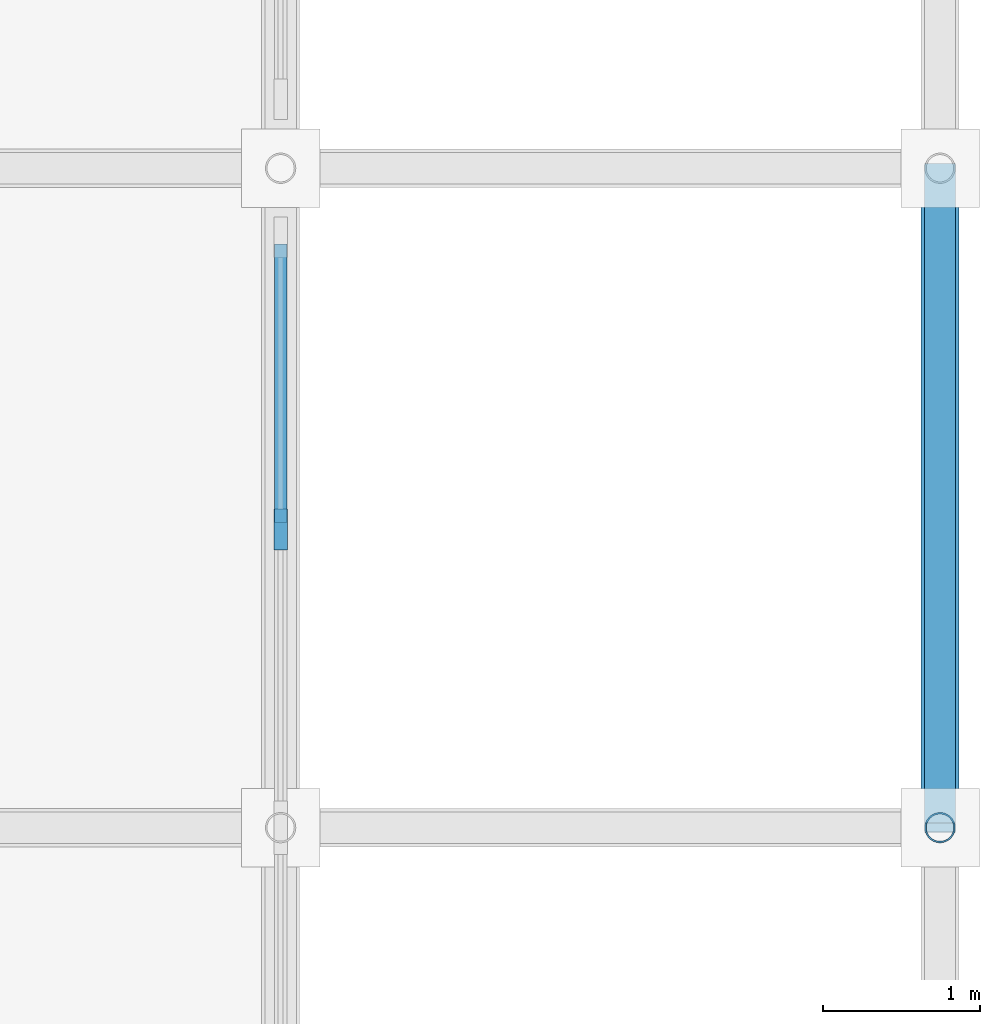
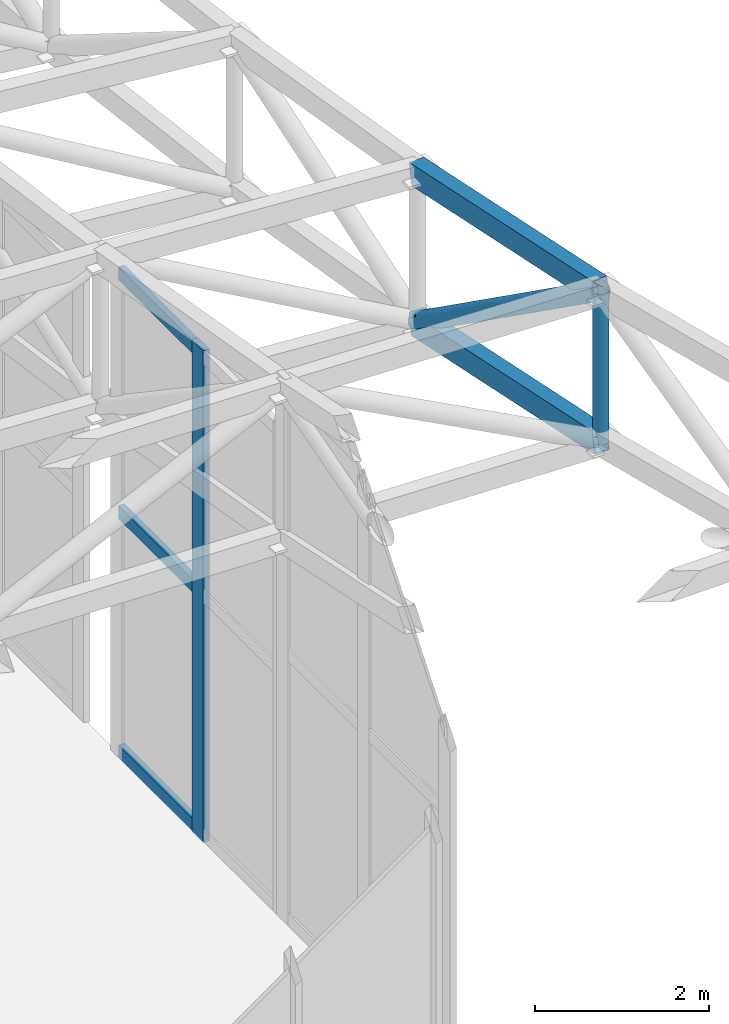
# One storey, part 36 of 123: 8 members, 1 element without a shape of its own.
"""IFC4 building model written with IfcOpenShell, lengths in metres."""

from ifc_helpers import new_model, si_unit, direction, frame, origin, origin_2d, place, context, subcontext, project, spatial, rectangle, hollow_rectangle, hollow_circle, extrude, material, material_profile, profile_set, type_object, element, aggregate, save


model = new_model("IFC4")

# Units and contexts
model_context = context("Model", 3, precision=1e-05, world=origin(), true_north=direction((0.0, 1.0)))
body_context = subcontext(model_context, "Body", "Model", "MODEL_VIEW")
ifc_project = project(units=[si_unit("LENGTHUNIT", "METRE"), si_unit("AREAUNIT", "SQUARE_METRE"), si_unit("VOLUMEUNIT", "CUBIC_METRE"), si_unit("PLANEANGLEUNIT", "RADIAN"), si_unit("MASSUNIT", "GRAM", prefix="KILO")], contexts=[model_context])

# Site, building, storey
site_placement = place(None, origin())
site = spatial("IfcSite", under=ifc_project, at=site_placement, CompositionType="ELEMENT")
building_placement = place(site_placement, origin())
building = spatial("IfcBuilding", under=site, at=building_placement, Name="Cumbredor Promenade Congress Hotel", CompositionType="ELEMENT")
storey_placement = place(building_placement, frame((0.0, 0.0, 11.760009765625)))
storey = spatial("IfcBuildingStorey", under=building, at=storey_placement, Name="L03", CompositionType="ELEMENT", Elevation=11.760009765625)

# Members
ifc_material_1 = material(Name="Steel ASTM A500 Grade C", Category="steel")
ifc_material_profile_1 = material_profile(ifc_material_1, hollow_rectangle(XDim=0.199951171875, YDim=0.300048828125, WallThickness=0.012451171875, at=origin_2d()), Name="HSS 300x200x12.5")
ifc_profile_set_1 = profile_set([ifc_material_profile_1], Name="Steel ASTM A500 Grade C")
member_type_1 = type_object("IfcMemberType", Name="Ballroom Roof Space Frame Chord", PredefinedType="CHORD", material=ifc_profile_set_1)
for number, where, z_axis, x_axis, name in (
    (1, (189.0, 12.60009765625, 7.3037109375), (0.0, 0.978557630203, -0.205973212752), (-1.0, 0.0, 0.0), "Grand Ballroom Pavilion Y Top Chord 13.4"),
    (2, (189.0, 12.60009765625, 5.20361328125), (0.0, 0.978569093962, -0.205918742088), (-1.0, 0.0, 0.0), "Grand Ballroom Pavilion Y Bottom Chord 13.4"),
):
    element("IfcMember", number, at=place(storey_placement, frame(where, z_axis=z_axis, x_axis=x_axis)), inside=storey, type_object=member_type_1, Name=name, PredefinedType="CHORD", context=body_context, shape_type="SweptSolid", body=[
        extrude(hollow_rectangle(XDim=0.199951171875, YDim=0.300048828125, WallThickness=0.012451171875, at=origin_2d()), origin(), (0.0, 0.0, 1.0), 4.2919921875),
    ])

# Curtain wall, members
ifc_material_2 = material(Name="Thermally broken anodized aluminium and low-E glass", Category="aluminium")
curtain_wall_type = type_object("IfcCurtainWallType", Name="Stepped Pavilion Clerestory Curtain Wall CW-06", PredefinedType="NOTDEFINED", material=ifc_material_2)
curtain_wall_placement = place(storey_placement, origin())
curtain_wall = element("IfcCurtainWall", 3, at=curtain_wall_placement, inside=storey, type_object=curtain_wall_type, Name="Grand Ballroom Pavilion E Glazed Clerestory 2", PredefinedType="NOTDEFINED")
ifc_material_3 = material(Name="Thermally broken anodized aluminium", Category="aluminium")
ifc_material_profile_2 = material_profile(ifc_material_3, rectangle(XDim=0.0849609375, YDim=0.260009765625, at=origin_2d()), Name="ALU MULLION CLERESTORY 85x260")
ifc_profile_set_2 = profile_set([ifc_material_profile_2], Name="Thermally broken anodized aluminium")
member_type_2 = type_object("IfcMemberType", Name="Curtain Wall Mullion ML-04", PredefinedType="MULLION", material=ifc_profile_set_2)
member_1_placement = place(storey_placement, frame((184.800048828125, 14.5, -0.01806640625), z_axis=(0.0, 0.0, 1.0), x_axis=(1.0, 0.0, 0.0)))
member_1 = element("IfcMember", 4, at=member_1_placement, type_object=member_type_2, Name="Grand Ballroom Pavilion E Glazed Clerestory 2 Mullion 2", PredefinedType="MULLION", context=body_context, shape_type="SweptSolid", body=[
    extrude(rectangle(XDim=0.0849609375, YDim=0.260009765625, at=origin_2d()), origin(), (0.0, 0.0, 1.0), 6.885986328125),
])
ifc_material_profile_3 = material_profile(ifc_material_3, rectangle(XDim=0.080078125, YDim=0.179931640625, at=origin_2d()), Name="ALU TRANSOM 80x180")
ifc_profile_set_3 = profile_set([ifc_material_profile_3], Name="Thermally broken anodized aluminium")
member_type_3 = type_object("IfcMemberType", Name="Curtain Wall Transom TR-03", PredefinedType="USERDEFINED", material=ifc_profile_set_3)
member_2_placement = place(storey_placement, frame((184.800048828125, 14.54248046875, 0.080078125), z_axis=(0.0, 1.0, 0.0), x_axis=(-1.0, 0.0, 0.0)))
member_2 = element("IfcMember", 5, at=member_2_placement, type_object=member_type_3, Name="Grand Ballroom Pavilion E Glazed Clerestory 2 Transom 2.1", ObjectType="TRANSOM", PredefinedType="USERDEFINED", context=body_context, shape_type="SweptSolid", body=[
    extrude(rectangle(XDim=0.080078125, YDim=0.179931640625, at=origin_2d()), origin(), (0.0, 0.0, 1.0), 1.77490234375),
])
member_3_placement = place(storey_placement, frame((184.800048828125, 14.54248046875, 3.429931640625), z_axis=(0.0, 1.0, 0.0), x_axis=(-1.0, 0.0, 0.0)))
member_3 = element("IfcMember", 6, at=member_3_placement, type_object=member_type_3, Name="Grand Ballroom Pavilion E Glazed Clerestory 2 Transom 2.2", ObjectType="TRANSOM", PredefinedType="USERDEFINED", context=body_context, shape_type="SweptSolid", body=[
    extrude(rectangle(XDim=0.080078125, YDim=0.179931640625, at=origin_2d()), origin(), (0.0, 0.0, 1.0), 1.77490234375),
])
member_4_placement = place(storey_placement, frame((184.800048828125, 14.54248046875, 6.77001953125), z_axis=(0.0, 1.0, 0.0), x_axis=(-1.0, 0.0, 0.0)))
member_4 = element("IfcMember", 7, at=member_4_placement, type_object=member_type_3, Name="Grand Ballroom Pavilion E Glazed Clerestory 2 Transom 2.3", ObjectType="TRANSOM", PredefinedType="USERDEFINED", context=body_context, shape_type="SweptSolid", body=[
    extrude(rectangle(XDim=0.080078125, YDim=0.179931640625, at=origin_2d()), origin(), (0.0, 0.0, 1.0), 1.77490234375),
])
aggregate(curtain_wall, [member_1, member_2, member_3, member_4])

# Members
ifc_material_profile_4 = material_profile(ifc_material_1, hollow_circle(Radius=0.122314453125, WallThickness=0.012451171875, at=origin_2d()), Name="CHS 244.5x12.5")
ifc_profile_set_4 = profile_set([ifc_material_profile_4], Name="Steel ASTM A500 Grade C")
member_type_4 = type_object("IfcMemberType", Name="Space Frame Web Diagonal D2", PredefinedType="BRACE", material=ifc_profile_set_4)
member_5_placement = place(storey_placement, frame((189.0, 12.60009765625, 7.3037109375), z_axis=(0.0, 0.815206903407, -0.579169840925), x_axis=(-1.0, 0.0, 0.0)))
element("IfcMember", 8, at=member_5_placement, inside=storey, type_object=member_type_4, Name="Grand Ballroom Pavilion Y Web Diagonal 13.4", PredefinedType="BRACE", context=body_context, shape_type="SweptSolid", body=[
    extrude(hollow_circle(Radius=0.122314453125, WallThickness=0.012451171875, at=origin_2d()), origin(), (0.0, 0.0, 1.0), 5.152099609375),
])
ifc_material_profile_5 = material_profile(ifc_material_1, hollow_circle(Radius=0.096923828125, WallThickness=0.010009765625, at=origin_2d()), Name="CHS 193.7x10")
ifc_profile_set_5 = profile_set([ifc_material_profile_5], Name="Steel ASTM A500 Grade C")
member_type_5 = type_object("IfcMemberType", Name="Space Frame Web Post P1", PredefinedType="BRACE", material=ifc_profile_set_5)
member_6_placement = place(storey_placement, frame((189.0, 12.60009765625, 5.20361328125), z_axis=(0.0, 0.0, 1.0), x_axis=(1.0, 0.0, 0.0)))
element("IfcMember", 9, at=member_6_placement, inside=storey, type_object=member_type_5, Name="Grand Ballroom Pavilion Space Frame Web Post 13.4", PredefinedType="BRACE", context=body_context, shape_type="SweptSolid", body=[
    extrude(hollow_circle(Radius=0.096923828125, WallThickness=0.010009765625, at=origin_2d()), origin(), (0.0, 0.0, 1.0), 2.10009765625),
])

save(model, "model.ifc")
